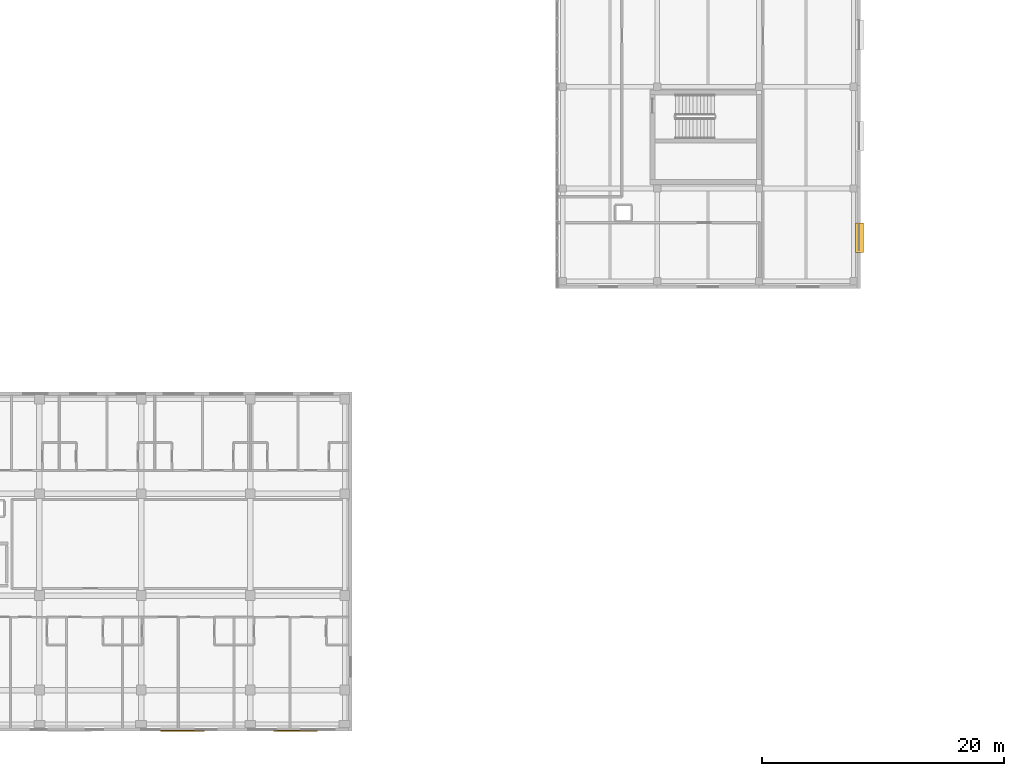
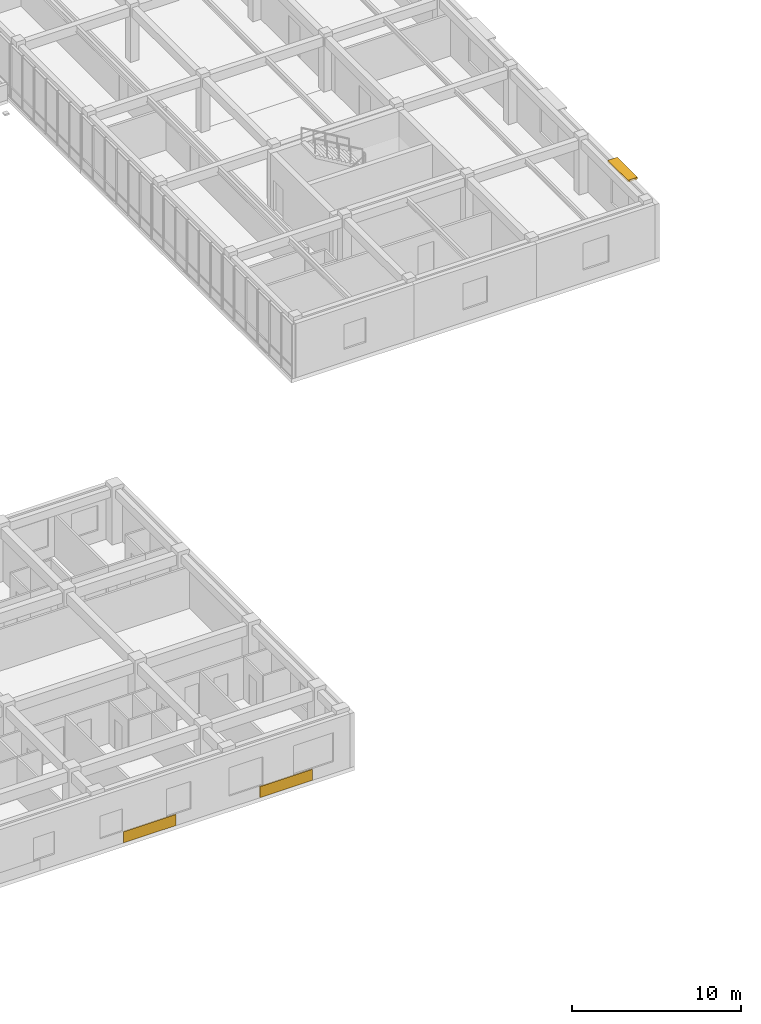
# One storey, part 119 of 123: 2 coverings, 1 shading device.
"""IFC4 building model written with IfcOpenShell, lengths in metres."""

from ifc_helpers import new_model, si_unit, direction, frame, origin, origin_2d, place, context, subcontext, project, spatial, rectangle, extrude, material, layer, layer_set, type_object, element, save


model = new_model("IFC4")

# Units and contexts
model_context = context("Model", 3, precision=1e-05, world=origin(), true_north=direction((0.0, 1.0)))
body_context = subcontext(model_context, "Body", "Model", "MODEL_VIEW")
ifc_project = project(units=[si_unit("LENGTHUNIT", "METRE"), si_unit("AREAUNIT", "SQUARE_METRE"), si_unit("VOLUMEUNIT", "CUBIC_METRE"), si_unit("PLANEANGLEUNIT", "RADIAN"), si_unit("MASSUNIT", "GRAM", prefix="KILO")], contexts=[model_context])

# Site, building, storey
site_placement = place(None, origin())
site = spatial("IfcSite", under=ifc_project, at=site_placement, CompositionType="ELEMENT")
building_placement = place(site_placement, origin())
building = spatial("IfcBuilding", under=site, at=building_placement, Name="Zayran Congress Hotel", CompositionType="ELEMENT")
storey_placement = place(building_placement, frame((0.0, 0.0, 15.0)))
storey = spatial("IfcBuildingStorey", under=building, at=storey_placement, Name="L03", CompositionType="ELEMENT", Elevation=15.0)

# Shading device
ifc_material_1 = material(Name="Precast concrete C40/50", Category="concrete")
shading_device_type = type_object("IfcShadingDeviceType", Name="TP-SHD-01", PredefinedType="JALOUSIE", material=ifc_material_1)
shading_device_placement = place(storey_placement, frame((134.300048828125, 46.739013671875, 3.7802734375), z_axis=(0.0, 0.0, 1.0), x_axis=(0.0, 1.0, 0.0)))
element("IfcShadingDevice", 1, at=shading_device_placement, inside=storey, type_object=shading_device_type, Name="Precast Brise Soleil Louvre 17", PredefinedType="JALOUSIE", context=body_context, shape_type="SweptSolid", body=[
    extrude(rectangle(XDim=2.39990234375, YDim=0.64990234375, at=origin_2d()), origin(), (0.0, 0.0, 1.0), 0.139892578125),
])

# Coverings
ifc_material_2 = material(Name="Ochre geometric bas-relief Hajar Ma'ani stone", Category="masonry")
ifc_layer = layer(ifc_material_2, 0.090087890625)
ifc_layer_set = layer_set([ifc_layer], Name="Ochre geometric bas-relief Hajar Ma'ani stone")
covering_type = type_object("IfcCoveringType", Name="TP-CLD-01", PredefinedType="CLADDING", material=ifc_layer_set)
for number, where, z_axis, x_axis, name in (
    (2, (78.39990234375, 6.044921875, 0.0), (0.0, 0.0, 1.0), (1.0, 0.0, 0.0), "CLD-V5S-L03-7"),
    (3, (87.73291015625, 6.044921875, 0.0), (0.0, 0.0, 1.0), (1.0, 0.0, 0.0), "CLD-V5S-L03-8"),
):
    element("IfcCovering", number, at=place(storey_placement, frame(where, z_axis=z_axis, x_axis=x_axis)), inside=storey, type_object=covering_type, Name=name, PredefinedType="CLADDING", context=body_context, shape_type="SweptSolid", body=[
        extrude(rectangle(XDim=3.60009765625, YDim=0.090087890625, at=origin_2d()), origin(), (0.0, 0.0, 1.0), 0.800048828125),
    ])

save(model, "model.ifc")
